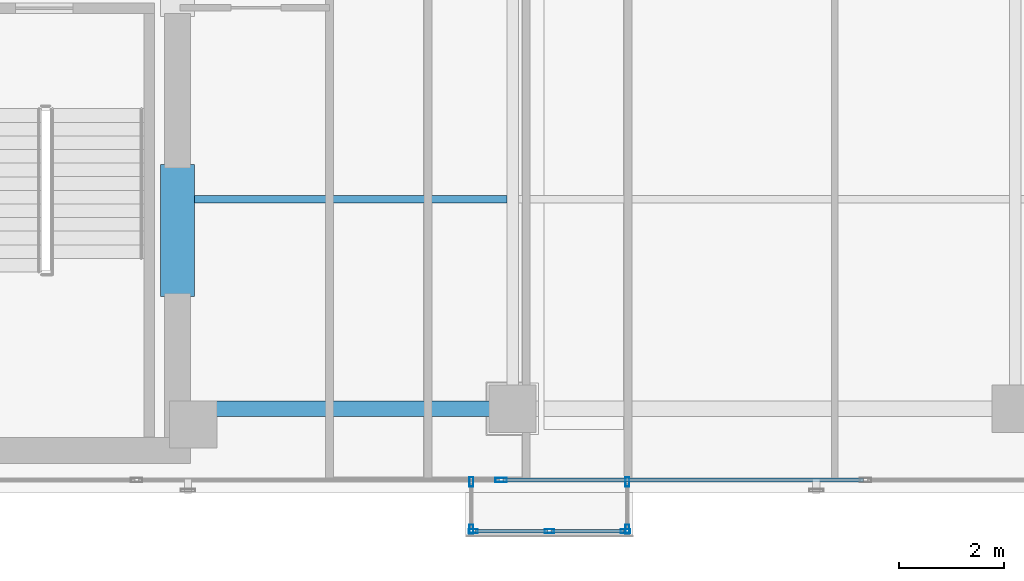
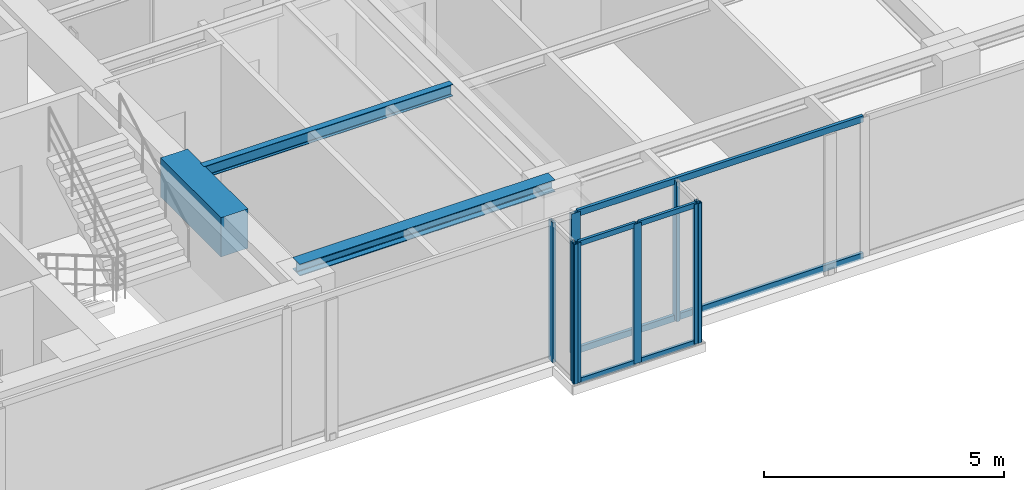
# One storey, part 4 of 22: 14 members, 3 beams, 4 elements without a shape of their own.
"""IFC4 building model written with IfcOpenShell, lengths in metres."""

from ifc_helpers import new_model, si_unit, direction, frame, origin, origin_with_axes, origin_2d, place, context, subcontext, project, spatial, rectangle, hollow_rectangle, i_section, extrude, source, transform, mapped, material, layer, layer_set, material_profile, profile_set, type_object, element, aggregate, save


model = new_model("IFC4")

# Units and contexts
model_context = context("Model", 3, precision=1e-05, world=origin(), true_north=direction((0.0, 1.0)))
body_context = subcontext(model_context, "Body", "Model", "MODEL_VIEW")
ifc_project = project(units=[si_unit("LENGTHUNIT", "METRE"), si_unit("AREAUNIT", "SQUARE_METRE"), si_unit("VOLUMEUNIT", "CUBIC_METRE"), si_unit("PLANEANGLEUNIT", "RADIAN"), si_unit("MASSUNIT", "GRAM", prefix="KILO")], contexts=[model_context])

# Site, building, storey
site_placement = place(None, origin())
site = spatial("IfcSite", under=ifc_project, at=site_placement, CompositionType="ELEMENT")
building_placement = place(site_placement, origin())
building = spatial("IfcBuilding", under=site, at=building_placement, Name="Kolvaren Waterfront Exchange", CompositionType="ELEMENT")
storey_placement = place(building_placement, frame((0.0, 0.0, 308.39990234375)))
storey = spatial("IfcBuildingStorey", under=building, at=storey_placement, Name="L79", CompositionType="ELEMENT", Elevation=308.39990234375)

# Beams
ifc_material_1 = material(Name="Steel S355", Category="steel")
ifc_material_profile_1 = material_profile(ifc_material_1, i_section(OverallWidth=0.300048828125, OverallDepth=0.300048828125, WebThickness=0.010986328125, FlangeThickness=0.01904296875, FilletRadius=0.027099609375, at=origin_2d()), Name="HEB300")
ifc_profile_set_1 = profile_set([ifc_material_profile_1], Name="Steel S355")
beam_type_1 = type_object("IfcBeamType", Name="STR-BM-HEB300", PredefinedType="SPANDREL", material=ifc_profile_set_1)
beam_1_placement = place(storey_placement, frame((21.050048828125, 5.199951171875, 3.41015625), z_axis=(1.0, 0.0, 0.0), x_axis=(0.0, 1.0, 0.0)))
element("IfcBeam", 1, at=beam_1_placement, inside=storey, type_object=beam_type_1, Name="L79 east-arm spandrel S1", PredefinedType="SPANDREL", context=body_context, shape_type="SweptSolid", body=[
    extrude(i_section(OverallWidth=0.300048828125, OverallDepth=0.300048828125, WebThickness=0.010986328125, FlangeThickness=0.01904296875, FilletRadius=0.027099609375, at=origin_2d()), origin(), (0.0, 0.0, 1.0), 6.14990234375),
])
ifc_material_profile_2 = material_profile(ifc_material_1, i_section(OverallWidth=0.14990234375, OverallDepth=0.300048828125, WebThickness=0.007080078125, FlangeThickness=0.0107421875, FilletRadius=0.014892578125, at=origin_2d()), Name="IPE300")
ifc_profile_set_2 = profile_set([ifc_material_profile_2], Name="Steel S355")
beam_type_2 = type_object("IfcBeamType", Name="STR-BM-IPE300", PredefinedType="JOIST", material=ifc_profile_set_2)
beam_2_placement = place(storey_placement, frame((21.10009765625, 9.199951171875, 3.41015625), z_axis=(1.0, 0.0, 0.0), x_axis=(0.0, 1.0, 0.0)))
element("IfcBeam", 2, at=beam_2_placement, inside=storey, type_object=beam_type_2, Name="L79 east-arm composite joist 1B", PredefinedType="JOIST", context=body_context, shape_type="SweptSolid", body=[
    extrude(i_section(OverallWidth=0.14990234375, OverallDepth=0.300048828125, WebThickness=0.007080078125, FlangeThickness=0.0107421875, FilletRadius=0.014892578125, at=origin_2d()), origin(), (0.0, 0.0, 1.0), 5.98779296875),
])
ifc_material_2 = material(Name="Concrete C60/75", Category="concrete")
ifc_material_profile_3 = material_profile(ifc_material_2, rectangle(XDim=0.64990234375, YDim=1.0, at=origin_2d()), Name="RC-CB-1000x650")
ifc_profile_set_3 = profile_set([ifc_material_profile_3], Name="Concrete C60/75")
beam_type_3 = type_object("IfcBeamType", Name="STR-CB-1000", PredefinedType="SPANDREL", material=ifc_profile_set_3)
beam_3_placement = place(storey_placement, frame((20.800048828125, 7.340087890625, 3.06005859375), z_axis=(0.0, 1.0, 0.0), x_axis=(-1.0, 0.0, 0.0)))
element("IfcBeam", 3, at=beam_3_placement, inside=storey, type_object=beam_type_3, Name="L79 core coupling beam 1", PredefinedType="SPANDREL", context=body_context, shape_type="SweptSolid", body=[
    extrude(rectangle(XDim=0.64990234375, YDim=1.0, at=origin_2d()), origin(), (0.0, 0.0, 1.0), 2.52001953125),
])

# Curtain wall, members
ifc_material_3 = material(Name="Anodised bronze aluminium 6063-T6", Category="aluminium")
ifc_layer_1 = layer(ifc_material_3, 0.219970703125, Name="Anodised bronze aluminium 6063-T6")
ifc_layer_set_1 = layer_set([ifc_layer_1], Name="Anodised bronze aluminium 6063-T6")
curtain_wall_type_1 = type_object("IfcCurtainWallType", Name="ARC-CW-SYS3", PredefinedType="USERDEFINED", material=ifc_layer_set_1)
curtain_wall_1_placement = place(storey_placement, origin())
curtain_wall_1 = element("IfcCurtainWall", 4, at=curtain_wall_1_placement, inside=storey, type_object=curtain_wall_type_1, Name="L79 stick curtain wall CW3 (CW-L79-BOX)", ObjectType="STICK CURTAIN WALL", PredefinedType="USERDEFINED")
ifc_material_profile_4 = material_profile(ifc_material_3, hollow_rectangle(XDim=0.06494140625, YDim=0.1298828125, WallThickness=0.00390625, at=origin_2d()), Name="ALU-TRN-130x65x4")
ifc_profile_set_4 = profile_set([ifc_material_profile_4], Name="Anodised bronze aluminium 6063-T6")
member_type_1 = type_object("IfcMemberType", Name="ARC-CWT-130", PredefinedType="USERDEFINED", material=ifc_profile_set_4)
shared_shape_1 = source(origin_with_axes(), body_context, "Body", "SweptSolid", [
    extrude(hollow_rectangle(XDim=0.06494140625, YDim=0.1298828125, WallThickness=0.00390625, at=origin_2d()), origin(), (0.0, 0.0, 1.0), 1.37744140625),
])
member_1_placement = place(storey_placement, frame((26.485107421875, 2.860107421875, 0.03271484375), z_axis=(1.0, 0.0, 0.0), x_axis=(0.0, 1.0, 0.0)))
member_1 = element("IfcMember", 5, at=member_1_placement, type_object=member_type_1, Name="CW3 transom 1.1", ObjectType="TRANSOM", PredefinedType="USERDEFINED", context=body_context, shape_type="MappedRepresentation", body=[
    mapped(shared_shape_1, transform((0.0, 0.0, 0.0), x_axis=(1.0, 0.0, 0.0), y_axis=(0.0, 1.0, 0.0), z_axis=(0.0, 0.0, 1.0), scale=1.0)),
])
member_2_placement = place(storey_placement, frame((26.485107421875, 2.860107421875, 3.527587890625), z_axis=(1.0, 0.0, 0.0), x_axis=(0.0, 1.0, 0.0)))
member_2 = element("IfcMember", 6, at=member_2_placement, type_object=member_type_1, Name="CW3 transom 1.2", ObjectType="TRANSOM", PredefinedType="USERDEFINED", context=body_context, shape_type="MappedRepresentation", body=[
    mapped(shared_shape_1, transform((0.0, 0.0, 0.0), x_axis=(1.0, 0.0, 0.0), y_axis=(0.0, 1.0, 0.0), z_axis=(0.0, 0.0, 1.0), scale=1.0)),
])
member_3_placement = place(storey_placement, frame((27.9375, 2.860107421875, 0.03271484375), z_axis=(1.0, 0.0, 0.0), x_axis=(0.0, 1.0, 0.0)))
member_3 = element("IfcMember", 7, at=member_3_placement, type_object=member_type_1, Name="CW3 transom 2.1", ObjectType="TRANSOM", PredefinedType="USERDEFINED", context=body_context, shape_type="MappedRepresentation", body=[
    mapped(shared_shape_1, transform((0.0, 0.0, 0.0), x_axis=(1.0, 0.0, 0.0), y_axis=(0.0, 1.0, 0.0), z_axis=(0.0, 0.0, 1.0), scale=1.0)),
])
member_4_placement = place(storey_placement, frame((27.9375, 2.860107421875, 3.527587890625), z_axis=(1.0, 0.0, 0.0), x_axis=(0.0, 1.0, 0.0)))
member_4 = element("IfcMember", 8, at=member_4_placement, type_object=member_type_1, Name="CW3 transom 2.2", ObjectType="TRANSOM", PredefinedType="USERDEFINED", context=body_context, shape_type="MappedRepresentation", body=[
    mapped(shared_shape_1, transform((0.0, 0.0, 0.0), x_axis=(1.0, 0.0, 0.0), y_axis=(0.0, 1.0, 0.0), z_axis=(0.0, 0.0, 1.0), scale=1.0)),
])

curtain_wall_2_placement = place(storey_placement, origin())
curtain_wall_2 = element("IfcCurtainWall", 9, at=curtain_wall_2_placement, inside=storey, type_object=curtain_wall_type_1, Name="L79 stick curtain wall CW3 (CW-L79-BOX-W)", ObjectType="STICK CURTAIN WALL", PredefinedType="USERDEFINED")
ifc_material_profile_5 = material_profile(ifc_material_3, hollow_rectangle(XDim=0.074951171875, YDim=0.179931640625, WallThickness=0.00439453125, at=origin_2d()), Name="ALU-MUL-180x75x4.5")
ifc_profile_set_5 = profile_set([ifc_material_profile_5], Name="Anodised bronze aluminium 6063-T6")
member_type_2 = type_object("IfcMemberType", Name="ARC-CWM-180", PredefinedType="MULLION", material=ifc_profile_set_5)
shared_shape_2 = source(origin_with_axes(), body_context, "Body", "SweptSolid", [
    extrude(hollow_rectangle(XDim=0.074951171875, YDim=0.179931640625, WallThickness=0.00439453125, at=origin_2d()), origin(), (0.0, 0.0, 1.0), 3.56005859375),
])
member_5_placement = place(storey_placement, frame((26.409912109375, 3.802490234375, 0.0), z_axis=(0.0, 0.0, 1.0), x_axis=(1.0, 0.0, 0.0)))
member_5 = element("IfcMember", 10, at=member_5_placement, type_object=member_type_2, Name="CW3 mullion 1", PredefinedType="MULLION", context=body_context, shape_type="MappedRepresentation", body=[
    mapped(shared_shape_2, transform((0.0, 0.0, 0.0), x_axis=(1.0, 0.0, 0.0), y_axis=(0.0, 1.0, 0.0), z_axis=(0.0, 0.0, 1.0), scale=1.0)),
])
member_6_placement = place(storey_placement, frame((26.409912109375, 2.8974609375, 0.0), z_axis=(0.0, 0.0, 1.0), x_axis=(1.0, 0.0, 0.0)))
member_6 = element("IfcMember", 11, at=member_6_placement, type_object=member_type_2, Name="CW3 mullion 2", PredefinedType="MULLION", context=body_context, shape_type="MappedRepresentation", body=[
    mapped(shared_shape_2, transform((0.0, 0.0, 0.0), x_axis=(1.0, 0.0, 0.0), y_axis=(0.0, 1.0, 0.0), z_axis=(0.0, 0.0, 1.0), scale=1.0)),
])
aggregate(curtain_wall_2, [member_5, member_6])

# Member
member_7_placement = place(storey_placement, frame((26.447509765625, 2.860107421875, 0.0), z_axis=(0.0, 0.0, 1.0), x_axis=(0.0, 1.0, 0.0)))
member_7 = element("IfcMember", 12, at=member_7_placement, type_object=member_type_2, Name="CW3 mullion 1", PredefinedType="MULLION", context=body_context, shape_type="MappedRepresentation", body=[
    mapped(shared_shape_2, transform((0.0, 0.0, 0.0), x_axis=(1.0, 0.0, 0.0), y_axis=(0.0, 1.0, 0.0), z_axis=(0.0, 0.0, 1.0), scale=1.0)),
])

member_8_placement = place(storey_placement, frame((27.89990234375, 2.860107421875, 0.0), z_axis=(0.0, 0.0, 1.0), x_axis=(0.0, 1.0, 0.0)))
member_8 = element("IfcMember", 13, at=member_8_placement, type_object=member_type_2, Name="CW3 mullion 2", PredefinedType="MULLION", context=body_context, shape_type="MappedRepresentation", body=[
    mapped(shared_shape_2, transform((0.0, 0.0, 0.0), x_axis=(1.0, 0.0, 0.0), y_axis=(0.0, 1.0, 0.0), z_axis=(0.0, 0.0, 1.0), scale=1.0)),
])

member_9_placement = place(storey_placement, frame((29.3525390625, 2.860107421875, 0.0), z_axis=(0.0, 0.0, 1.0), x_axis=(0.0, 1.0, 0.0)))
member_9 = element("IfcMember", 14, at=member_9_placement, type_object=member_type_2, Name="CW3 mullion 3", PredefinedType="MULLION", context=body_context, shape_type="MappedRepresentation", body=[
    mapped(shared_shape_2, transform((0.0, 0.0, 0.0), x_axis=(1.0, 0.0, 0.0), y_axis=(0.0, 1.0, 0.0), z_axis=(0.0, 0.0, 1.0), scale=1.0)),
])

aggregate(curtain_wall_1, [member_7, member_8, member_9, member_1, member_2, member_3, member_4])

# Curtain wall, members
curtain_wall_3_placement = place(storey_placement, origin())
curtain_wall_3 = element("IfcCurtainWall", 15, at=curtain_wall_3_placement, inside=storey, type_object=curtain_wall_type_1, Name="L79 stick curtain wall CW3 (CW-L79-BOX-E)", ObjectType="STICK CURTAIN WALL", PredefinedType="USERDEFINED")
member_10_placement = place(storey_placement, frame((29.389892578125, 2.8974609375, 0.0), z_axis=(0.0, 0.0, 1.0), x_axis=(-1.0, 0.0, 0.0)))
member_10 = element("IfcMember", 16, at=member_10_placement, type_object=member_type_2, Name="CW3 mullion 1", PredefinedType="MULLION", context=body_context, shape_type="MappedRepresentation", body=[
    mapped(shared_shape_2, transform((0.0, 0.0, 0.0), x_axis=(1.0, 0.0, 0.0), y_axis=(0.0, 1.0, 0.0), z_axis=(0.0, 0.0, 1.0), scale=1.0)),
])
member_11_placement = place(storey_placement, frame((29.389892578125, 3.802490234375, 0.0), z_axis=(0.0, 0.0, 1.0), x_axis=(-1.0, 0.0, 0.0)))
member_11 = element("IfcMember", 17, at=member_11_placement, type_object=member_type_2, Name="CW3 mullion 2", PredefinedType="MULLION", context=body_context, shape_type="MappedRepresentation", body=[
    mapped(shared_shape_2, transform((0.0, 0.0, 0.0), x_axis=(1.0, 0.0, 0.0), y_axis=(0.0, 1.0, 0.0), z_axis=(0.0, 0.0, 1.0), scale=1.0)),
])
aggregate(curtain_wall_3, [member_10, member_11])

ifc_layer_2 = layer(ifc_material_3, 0.219970703125, Name="Anodised bronze aluminium 6063-T6")
ifc_layer_set_2 = layer_set([ifc_layer_2], Name="Anodised bronze aluminium 6063-T6")
curtain_wall_type_2 = type_object("IfcCurtainWallType", Name="ARC-CW-SYS1", PredefinedType="USERDEFINED", material=ifc_layer_set_2)
curtain_wall_4_placement = place(storey_placement, origin())
curtain_wall_4 = element("IfcCurtainWall", 18, at=curtain_wall_4_placement, inside=storey, type_object=curtain_wall_type_2, Name="L79 stick curtain wall CW1 (CW-L79-S)", ObjectType="STICK CURTAIN WALL", PredefinedType="USERDEFINED")
ifc_material_4 = material(Name="Anodised aluminium 6063-T6", Category="aluminium")
ifc_material_profile_6 = material_profile(ifc_material_4, hollow_rectangle(XDim=0.080078125, YDim=0.219970703125, WallThickness=0.0048828125, at=origin_2d()), Name="ALU-MUL-220x80x5")
ifc_profile_set_6 = profile_set([ifc_material_profile_6], Name="Anodised aluminium 6063-T6")
member_type_3 = type_object("IfcMemberType", Name="ARC-CWM-220", PredefinedType="MULLION", material=ifc_profile_set_6)
shared_shape_3 = source(origin_with_axes(), body_context, "Body", "SweptSolid", [
    extrude(hollow_rectangle(XDim=0.080078125, YDim=0.219970703125, WallThickness=0.0048828125, at=origin_2d()), origin(), (0.0, 0.0, 1.0), 3.56005859375),
])
member_12_placement = place(storey_placement, frame((26.97900390625, 3.840087890625, 0.0), z_axis=(0.0, 0.0, 1.0), x_axis=(0.0, 1.0, 0.0)))
member_12 = element("IfcMember", 19, at=member_12_placement, type_object=member_type_3, Name="CW1 mullion 4", PredefinedType="MULLION", context=body_context, shape_type="MappedRepresentation", body=[
    mapped(shared_shape_3, transform((0.0, 0.0, 0.0), x_axis=(1.0, 0.0, 0.0), y_axis=(0.0, 1.0, 0.0), z_axis=(0.0, 0.0, 1.0), scale=1.0)),
])
ifc_material_profile_7 = material_profile(ifc_material_4, hollow_rectangle(XDim=0.074951171875, YDim=0.159912109375, WallThickness=0.00439453125, at=origin_2d()), Name="ALU-TRN-160x75x4.5")
ifc_profile_set_7 = profile_set([ifc_material_profile_7], Name="Anodised aluminium 6063-T6")
member_type_4 = type_object("IfcMemberType", Name="ARC-CWT-160", PredefinedType="USERDEFINED", material=ifc_profile_set_7)
shared_shape_4 = source(origin_with_axes(), body_context, "Body", "SweptSolid", [
    extrude(hollow_rectangle(XDim=0.074951171875, YDim=0.159912109375, WallThickness=0.00439453125, at=origin_2d()), origin(), (0.0, 0.0, 1.0), 6.879638671875),
])
member_13_placement = place(storey_placement, frame((27.01904296875, 3.840087890625, 0.03759765625), z_axis=(1.0, 0.0, 0.0), x_axis=(0.0, 1.0, 0.0)))
member_13 = element("IfcMember", 20, at=member_13_placement, type_object=member_type_4, Name="CW1 transom 4.1", ObjectType="TRANSOM", PredefinedType="USERDEFINED", context=body_context, shape_type="MappedRepresentation", body=[
    mapped(shared_shape_4, transform((0.0, 0.0, 0.0), x_axis=(1.0, 0.0, 0.0), y_axis=(0.0, 1.0, 0.0), z_axis=(0.0, 0.0, 1.0), scale=1.0)),
])
member_14_placement = place(storey_placement, frame((27.01904296875, 3.840087890625, 3.522705078125), z_axis=(1.0, 0.0, 0.0), x_axis=(0.0, 1.0, 0.0)))
member_14 = element("IfcMember", 21, at=member_14_placement, type_object=member_type_4, Name="CW1 transom 4.2", ObjectType="TRANSOM", PredefinedType="USERDEFINED", context=body_context, shape_type="MappedRepresentation", body=[
    mapped(shared_shape_4, transform((0.0, 0.0, 0.0), x_axis=(1.0, 0.0, 0.0), y_axis=(0.0, 1.0, 0.0), z_axis=(0.0, 0.0, 1.0), scale=1.0)),
])
aggregate(curtain_wall_4, [member_12, member_13, member_14])

save(model, "model.ifc")
